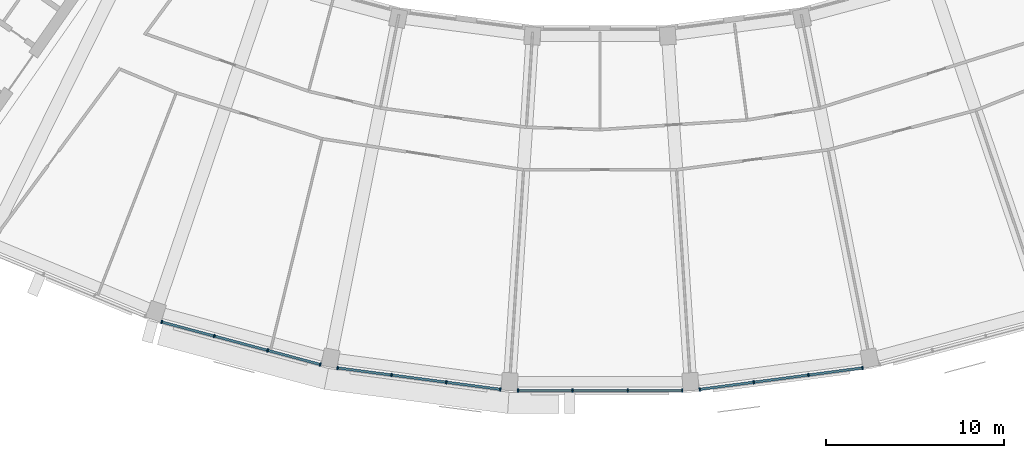
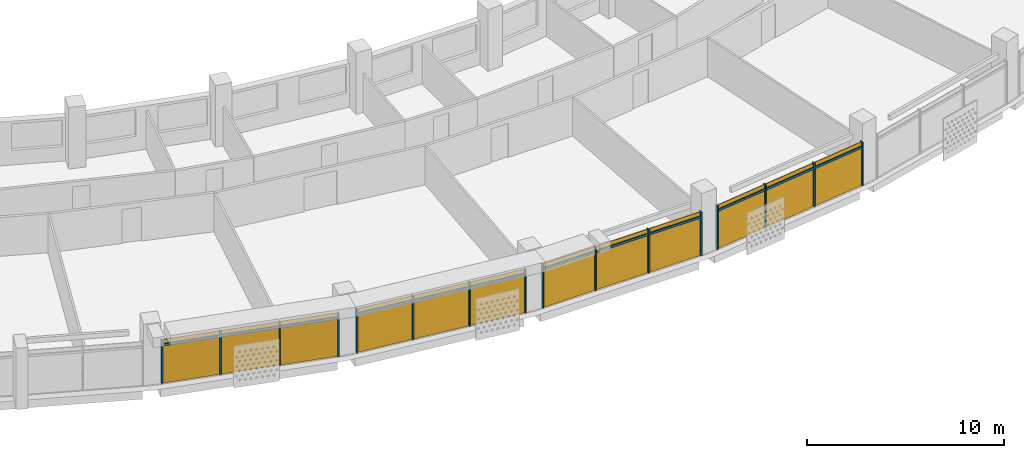
# One storey, part 20 of 28: 28 members, 4 curtain walls.
"""IFC4 building model written with IfcOpenShell, lengths in metres."""

from ifc_helpers import new_model, si_unit, direction, frame, origin, origin_2d, place, context, subcontext, project, spatial, rectangle, extrude, material, material_profile, profile_set, type_object, element, aggregate, save


model = new_model("IFC4")

# Units and contexts
model_context = context("Model", 3, precision=1e-05, world=origin(), true_north=direction((0.0, 1.0)))
body_context = subcontext(model_context, "Body", "Model", "MODEL_VIEW")
ifc_project = project(units=[si_unit("LENGTHUNIT", "METRE"), si_unit("AREAUNIT", "SQUARE_METRE"), si_unit("VOLUMEUNIT", "CUBIC_METRE"), si_unit("PLANEANGLEUNIT", "RADIAN"), si_unit("MASSUNIT", "GRAM", prefix="KILO")], contexts=[model_context])

# Member
ifc_material = material(Name="Aluminium 6063-T6 anodised", Category="aluminium")
ifc_material_profile_1 = material_profile(ifc_material, rectangle(XDim=0.199951171875, YDim=0.070068359375, at=origin_2d()))
ifc_profile_set_1 = profile_set([ifc_material_profile_1], Name="Aluminium 6063-T6 anodised")
member_type_1 = type_object("IfcMemberType", Name="Mullion 70 x 200 aluminium", PredefinedType="MULLION", material=ifc_profile_set_1)
site_placement = place(None, origin())
building_placement = place(site_placement, origin())
storey_placement = place(building_placement, frame((0.0, 0.0, 269.5)))
member_1_placement = place(storey_placement, frame((-24.676025390625, -74.224853515625, 0.0), z_axis=(0.0, 0.0, 1.0), x_axis=(0.258819045103, 0.965925826289, 0.0)))
member_1 = element("IfcMember", 1, at=member_1_placement, type_object=member_type_1, Name="e-cw1-L65-out05/M00", PredefinedType="MULLION", context=body_context, shape_type="SweptSolid", body=[
    extrude(rectangle(XDim=0.199951171875, YDim=0.070068359375, at=origin_2d()), origin(), (0.0, 0.0, 1.0), 2.699951171875),
])

member_2_placement = place(storey_placement, frame((-21.70947265625, -75.019775390625, 0.0), z_axis=(0.0, 0.0, 1.0), x_axis=(0.258819045103, 0.965925826289, 0.0)))
member_2 = element("IfcMember", 2, at=member_2_placement, type_object=member_type_1, Name="e-cw1-L65-out05/M01", PredefinedType="MULLION", context=body_context, shape_type="SweptSolid", body=[
    extrude(rectangle(XDim=0.199951171875, YDim=0.070068359375, at=origin_2d()), origin(), (0.0, 0.0, 1.0), 2.699951171875),
])

member_3_placement = place(storey_placement, frame((-18.708984375, -75.82373046875, 0.0), z_axis=(0.0, 0.0, 1.0), x_axis=(0.258819045103, 0.965925826289, 0.0)))
member_3 = element("IfcMember", 3, at=member_3_placement, type_object=member_type_1, Name="e-cw1-L65-out05/M02", PredefinedType="MULLION", context=body_context, shape_type="SweptSolid", body=[
    extrude(rectangle(XDim=0.199951171875, YDim=0.070068359375, at=origin_2d()), origin(), (0.0, 0.0, 1.0), 2.699951171875),
])

member_4_placement = place(storey_placement, frame((-15.742431640625, -76.618408203125, 0.0), z_axis=(0.0, 0.0, 1.0), x_axis=(0.258819045103, 0.965925826289, 0.0)))
member_4 = element("IfcMember", 4, at=member_4_placement, type_object=member_type_1, Name="e-cw1-L65-out05/M03", PredefinedType="MULLION", context=body_context, shape_type="SweptSolid", body=[
    extrude(rectangle(XDim=0.199951171875, YDim=0.070068359375, at=origin_2d()), origin(), (0.0, 0.0, 1.0), 2.699951171875),
])

member_5_placement = place(storey_placement, frame((-14.776611328125, -76.810546875, 0.0), z_axis=(0.0, 0.0, 1.0), x_axis=(0.13052619222, 0.991444861374, 0.0)))
member_5 = element("IfcMember", 5, at=member_5_placement, type_object=member_type_1, Name="e-cw1-L65-out06/M00", PredefinedType="MULLION", context=body_context, shape_type="SweptSolid", body=[
    extrude(rectangle(XDim=0.199951171875, YDim=0.070068359375, at=origin_2d()), origin(), (0.0, 0.0, 1.0), 2.699951171875),
])

member_6_placement = place(storey_placement, frame((-11.731689453125, -77.21142578125, 0.0), z_axis=(0.0, 0.0, 1.0), x_axis=(0.13052619222, 0.991444861374, 0.0)))
member_6 = element("IfcMember", 6, at=member_6_placement, type_object=member_type_1, Name="e-cw1-L65-out06/M01", PredefinedType="MULLION", context=body_context, shape_type="SweptSolid", body=[
    extrude(rectangle(XDim=0.199951171875, YDim=0.070068359375, at=origin_2d()), origin(), (0.0, 0.0, 1.0), 2.699951171875),
])

member_7_placement = place(storey_placement, frame((-8.65185546875, -77.616943359375, 0.0), z_axis=(0.0, 0.0, 1.0), x_axis=(0.13052619222, 0.991444861374, 0.0)))
member_7 = element("IfcMember", 7, at=member_7_placement, type_object=member_type_1, Name="e-cw1-L65-out06/M02", PredefinedType="MULLION", context=body_context, shape_type="SweptSolid", body=[
    extrude(rectangle(XDim=0.199951171875, YDim=0.070068359375, at=origin_2d()), origin(), (0.0, 0.0, 1.0), 2.699951171875),
])

member_8_placement = place(storey_placement, frame((-5.60693359375, -78.017822265625, 0.0), z_axis=(0.0, 0.0, 1.0), x_axis=(0.13052619222, 0.991444861374, 0.0)))
member_8 = element("IfcMember", 8, at=member_8_placement, type_object=member_type_1, Name="e-cw1-L65-out06/M03", PredefinedType="MULLION", context=body_context, shape_type="SweptSolid", body=[
    extrude(rectangle(XDim=0.199951171875, YDim=0.070068359375, at=origin_2d()), origin(), (0.0, 0.0, 1.0), 2.699951171875),
])

member_9_placement = place(storey_placement, frame((-4.624267578125, -78.082275390625, 0.0), z_axis=(0.0, 0.0, 1.0), x_axis=(0.0, 1.0, 0.0)))
member_9 = element("IfcMember", 9, at=member_9_placement, type_object=member_type_1, Name="e-cw1-L65-out07/M00", PredefinedType="MULLION", context=body_context, shape_type="SweptSolid", body=[
    extrude(rectangle(XDim=0.199951171875, YDim=0.070068359375, at=origin_2d()), origin(), (0.0, 0.0, 1.0), 2.699951171875),
])

member_10_placement = place(storey_placement, frame((-1.55322265625, -78.082275390625, 0.0), z_axis=(0.0, 0.0, 1.0), x_axis=(0.0, 1.0, 0.0)))
member_10 = element("IfcMember", 10, at=member_10_placement, type_object=member_type_1, Name="e-cw1-L65-out07/M01", PredefinedType="MULLION", context=body_context, shape_type="SweptSolid", body=[
    extrude(rectangle(XDim=0.199951171875, YDim=0.070068359375, at=origin_2d()), origin(), (0.0, 0.0, 1.0), 2.699951171875),
])

member_11_placement = place(storey_placement, frame((1.55322265625, -78.082275390625, 0.0), z_axis=(0.0, 0.0, 1.0), x_axis=(0.0, 1.0, 0.0)))
member_11 = element("IfcMember", 11, at=member_11_placement, type_object=member_type_1, Name="e-cw1-L65-out07/M02", PredefinedType="MULLION", context=body_context, shape_type="SweptSolid", body=[
    extrude(rectangle(XDim=0.199951171875, YDim=0.070068359375, at=origin_2d()), origin(), (0.0, 0.0, 1.0), 2.699951171875),
])

member_12_placement = place(storey_placement, frame((4.624267578125, -78.082275390625, 0.0), z_axis=(0.0, 0.0, 1.0), x_axis=(0.0, 1.0, 0.0)))
member_12 = element("IfcMember", 12, at=member_12_placement, type_object=member_type_1, Name="e-cw1-L65-out07/M03", PredefinedType="MULLION", context=body_context, shape_type="SweptSolid", body=[
    extrude(rectangle(XDim=0.199951171875, YDim=0.070068359375, at=origin_2d()), origin(), (0.0, 0.0, 1.0), 2.699951171875),
])

member_13_placement = place(storey_placement, frame((5.60693359375, -78.017822265625, 0.0), z_axis=(0.0, 0.0, 1.0), x_axis=(-0.13052619222, 0.991444861374, 0.0)))
member_13 = element("IfcMember", 13, at=member_13_placement, type_object=member_type_1, Name="e-cw1-L65-out08/M00", PredefinedType="MULLION", context=body_context, shape_type="SweptSolid", body=[
    extrude(rectangle(XDim=0.199951171875, YDim=0.070068359375, at=origin_2d()), origin(), (0.0, 0.0, 1.0), 2.699951171875),
])

member_14_placement = place(storey_placement, frame((8.65185546875, -77.616943359375, 0.0), z_axis=(0.0, 0.0, 1.0), x_axis=(-0.13052619222, 0.991444861374, 0.0)))
member_14 = element("IfcMember", 14, at=member_14_placement, type_object=member_type_1, Name="e-cw1-L65-out08/M01", PredefinedType="MULLION", context=body_context, shape_type="SweptSolid", body=[
    extrude(rectangle(XDim=0.199951171875, YDim=0.070068359375, at=origin_2d()), origin(), (0.0, 0.0, 1.0), 2.699951171875),
])

member_15_placement = place(storey_placement, frame((11.731689453125, -77.21142578125, 0.0), z_axis=(0.0, 0.0, 1.0), x_axis=(-0.13052619222, 0.991444861374, 0.0)))
member_15 = element("IfcMember", 15, at=member_15_placement, type_object=member_type_1, Name="e-cw1-L65-out08/M02", PredefinedType="MULLION", context=body_context, shape_type="SweptSolid", body=[
    extrude(rectangle(XDim=0.199951171875, YDim=0.070068359375, at=origin_2d()), origin(), (0.0, 0.0, 1.0), 2.699951171875),
])

member_16_placement = place(storey_placement, frame((14.776611328125, -76.810546875, 0.0), z_axis=(0.0, 0.0, 1.0), x_axis=(-0.13052619222, 0.991444861374, 0.0)))
member_16 = element("IfcMember", 16, at=member_16_placement, type_object=member_type_1, Name="e-cw1-L65-out08/M03", PredefinedType="MULLION", context=body_context, shape_type="SweptSolid", body=[
    extrude(rectangle(XDim=0.199951171875, YDim=0.070068359375, at=origin_2d()), origin(), (0.0, 0.0, 1.0), 2.699951171875),
])

ifc_material_profile_2 = material_profile(ifc_material, rectangle(XDim=0.139892578125, YDim=0.1201171875, at=origin_2d()))
ifc_profile_set_2 = profile_set([ifc_material_profile_2], Name="Aluminium 6063-T6 anodised")
member_type_2 = type_object("IfcMemberType", Name="Transom 120 x 140 aluminium", PredefinedType="USERDEFINED", material=ifc_profile_set_2)
member_17_placement = place(storey_placement, frame((-24.64208984375, -74.23388671875, 2.39990234375), z_axis=(0.965918275034, -0.258847225127, 0.0), x_axis=(0.258847225127, 0.965918275034, 0.0)))
member_17 = element("IfcMember", 17, at=member_17_placement, type_object=member_type_2, Name="e-cw1-L65-out05/T00", ObjectType="TRANSOM", PredefinedType="USERDEFINED", context=body_context, shape_type="SweptSolid", body=[
    extrude(rectangle(XDim=0.139892578125, YDim=0.1201171875, at=origin_2d()), origin(), (0.0, 0.0, 1.0), 3.001220703125),
])

member_18_placement = place(storey_placement, frame((-21.675537109375, -75.02880859375, 2.39990234375), z_axis=(0.965943386189, -0.258753501769, 0.0), x_axis=(0.258753501769, 0.965943386189, 0.0)))
member_18 = element("IfcMember", 18, at=member_18_placement, type_object=member_type_2, Name="e-cw1-L65-out05/T01", ObjectType="TRANSOM", PredefinedType="USERDEFINED", context=body_context, shape_type="SweptSolid", body=[
    extrude(rectangle(XDim=0.139892578125, YDim=0.1201171875, at=origin_2d()), origin(), (0.0, 0.0, 1.0), 3.036376953125),
])

member_19_placement = place(storey_placement, frame((-18.67529296875, -75.832763671875, 2.39990234375), z_axis=(0.965944058071, -0.258750993577, 0.0), x_axis=(0.258750993577, 0.965944058071, 0.0)))
member_19 = element("IfcMember", 19, at=member_19_placement, type_object=member_type_2, Name="e-cw1-L65-out05/T02", ObjectType="TRANSOM", PredefinedType="USERDEFINED", context=body_context, shape_type="SweptSolid", body=[
    extrude(rectangle(XDim=0.139892578125, YDim=0.1201171875, at=origin_2d()), origin(), (0.0, 0.0, 1.0), 3.00146484375),
])

member_20_placement = place(storey_placement, frame((-14.741943359375, -76.815185546875, 2.39990234375), z_axis=(0.991440446253, -0.13055972401, 0.0), x_axis=(0.13055972401, 0.991440446253, 0.0)))
member_20 = element("IfcMember", 20, at=member_20_placement, type_object=member_type_2, Name="e-cw1-L65-out06/T00", ObjectType="TRANSOM", PredefinedType="USERDEFINED", context=body_context, shape_type="SweptSolid", body=[
    extrude(rectangle(XDim=0.139892578125, YDim=0.1201171875, at=origin_2d()), origin(), (0.0, 0.0, 1.0), 3.001220703125),
])

member_21_placement = place(storey_placement, frame((-11.697021484375, -77.216064453125, 2.39990234375), z_axis=(0.991447725786, -0.130504433005, 0.0), x_axis=(0.130504433005, 0.991447725786, 0.0)))
member_21 = element("IfcMember", 21, at=member_21_placement, type_object=member_type_2, Name="e-cw1-L65-out06/T01", ObjectType="TRANSOM", PredefinedType="USERDEFINED", context=body_context, shape_type="SweptSolid", body=[
    extrude(rectangle(XDim=0.139892578125, YDim=0.1201171875, at=origin_2d()), origin(), (0.0, 0.0, 1.0), 3.0361328125),
])

member_22_placement = place(storey_placement, frame((-8.6171875, -77.62158203125, 2.39990234375), z_axis=(0.991450972696, -0.130479763719, 0.0), x_axis=(0.130479763719, 0.991450972696, 0.0)))
member_22 = element("IfcMember", 22, at=member_22_placement, type_object=member_type_2, Name="e-cw1-L65-out06/T02", ObjectType="TRANSOM", PredefinedType="USERDEFINED", context=body_context, shape_type="SweptSolid", body=[
    extrude(rectangle(XDim=0.139892578125, YDim=0.1201171875, at=origin_2d()), origin(), (0.0, 0.0, 1.0), 3.001220703125),
])

member_23_placement = place(storey_placement, frame((-4.58935546875, -78.082275390625, 2.39990234375), z_axis=(1.0, 0.0, 0.0), x_axis=(0.0, 1.0, 0.0)))
member_23 = element("IfcMember", 23, at=member_23_placement, type_object=member_type_2, Name="e-cw1-L65-out07/T00", ObjectType="TRANSOM", PredefinedType="USERDEFINED", context=body_context, shape_type="SweptSolid", body=[
    extrude(rectangle(XDim=0.139892578125, YDim=0.1201171875, at=origin_2d()), origin(), (0.0, 0.0, 1.0), 3.001220703125),
])

member_24_placement = place(storey_placement, frame((-1.51806640625, -78.082275390625, 2.39990234375), z_axis=(1.0, 0.0, 0.0), x_axis=(0.0, 1.0, 0.0)))
member_24 = element("IfcMember", 24, at=member_24_placement, type_object=member_type_2, Name="e-cw1-L65-out07/T01", ObjectType="TRANSOM", PredefinedType="USERDEFINED", context=body_context, shape_type="SweptSolid", body=[
    extrude(rectangle(XDim=0.139892578125, YDim=0.1201171875, at=origin_2d()), origin(), (0.0, 0.0, 1.0), 3.0361328125),
])

member_25_placement = place(storey_placement, frame((1.588134765625, -78.082275390625, 2.39990234375), z_axis=(1.0, 0.0, 0.0), x_axis=(0.0, 1.0, 0.0)))
member_25 = element("IfcMember", 25, at=member_25_placement, type_object=member_type_2, Name="e-cw1-L65-out07/T02", ObjectType="TRANSOM", PredefinedType="USERDEFINED", context=body_context, shape_type="SweptSolid", body=[
    extrude(rectangle(XDim=0.139892578125, YDim=0.1201171875, at=origin_2d()), origin(), (0.0, 0.0, 1.0), 3.001220703125),
])

member_26_placement = place(storey_placement, frame((5.6416015625, -78.01318359375, 2.39990234375), z_axis=(0.991450972696, 0.130479763719, 0.0), x_axis=(-0.130479763719, 0.991450972696, 0.0)))
member_26 = element("IfcMember", 26, at=member_26_placement, type_object=member_type_2, Name="e-cw1-L65-out08/T00", ObjectType="TRANSOM", PredefinedType="USERDEFINED", context=body_context, shape_type="SweptSolid", body=[
    extrude(rectangle(XDim=0.139892578125, YDim=0.1201171875, at=origin_2d()), origin(), (0.0, 0.0, 1.0), 3.001220703125),
])

member_27_placement = place(storey_placement, frame((8.686767578125, -77.6123046875, 2.39990234375), z_axis=(0.991447725786, 0.130504433005, 0.0), x_axis=(-0.130504433005, 0.991447725786, 0.0)))
member_27 = element("IfcMember", 27, at=member_27_placement, type_object=member_type_2, Name="e-cw1-L65-out08/T01", ObjectType="TRANSOM", PredefinedType="USERDEFINED", context=body_context, shape_type="SweptSolid", body=[
    extrude(rectangle(XDim=0.139892578125, YDim=0.1201171875, at=origin_2d()), origin(), (0.0, 0.0, 1.0), 3.0361328125),
])

member_28_placement = place(storey_placement, frame((11.766357421875, -77.20703125, 2.39990234375), z_axis=(0.991440446253, 0.13055972401, 0.0), x_axis=(-0.13055972401, 0.991440446253, 0.0)))
member_28 = element("IfcMember", 28, at=member_28_placement, type_object=member_type_2, Name="e-cw1-L65-out08/T02", ObjectType="TRANSOM", PredefinedType="USERDEFINED", context=body_context, shape_type="SweptSolid", body=[
    extrude(rectangle(XDim=0.139892578125, YDim=0.1201171875, at=origin_2d()), origin(), (0.0, 0.0, 1.0), 3.001220703125),
])

# Site, building, storey
site = spatial("IfcSite", under=ifc_project, at=site_placement, CompositionType="ELEMENT")
building = spatial("IfcBuilding", under=site, at=building_placement, Name="Qamariyya Broadcast Tower", CompositionType="ELEMENT")
storey = spatial("IfcBuildingStorey", under=building, at=storey_placement, Name="L65", CompositionType="ELEMENT", Elevation=269.5)

# Curtain wall
curtain_wall_type = type_object("IfcCurtainWallType", Name="Unitised curtain wall, anodised aluminium", PredefinedType="NOTDEFINED", material=ifc_material)
curtain_wall_1_placement = place(storey_placement, origin())
curtain_wall_1 = element("IfcCurtainWall", 29, at=curtain_wall_1_placement, inside=storey, type_object=curtain_wall_type, Name="e-cw1-L65-out05", PredefinedType="NOTDEFINED", context=body_context, shape_type="SweptSolid", body=[
    extrude(rectangle(XDim=3.001220703125, YDim=0.031982421875, at=origin_2d()), frame((-23.192626953125, -74.622314453125, 0.0), x_axis=(0.965925949265, -0.258818586151, 0.0)), (0.0, 0.0, 1.0), 2.340087890625),
    extrude(rectangle(XDim=3.001220703125, YDim=0.031982421875, at=origin_2d()), frame((-23.192626953125, -74.622314453125, 2.4599609375), x_axis=(0.965925949265, -0.258818586151, 0.0)), (0.0, 0.0, 1.0), 0.239990234375),
    extrude(rectangle(XDim=3.0361328125, YDim=0.031982421875, at=origin_2d()), frame((-20.208984375, -75.421875, 0.0), x_axis=(0.965925949265, -0.258818586151, 0.0)), (0.0, 0.0, 1.0), 2.340087890625),
    extrude(rectangle(XDim=3.0361328125, YDim=0.031982421875, at=origin_2d()), frame((-20.208984375, -75.421875, 2.4599609375), x_axis=(0.965925949265, -0.258818586151, 0.0)), (0.0, 0.0, 1.0), 0.239990234375),
    extrude(rectangle(XDim=3.001220703125, YDim=0.031982421875, at=origin_2d()), frame((-17.2255859375, -76.22119140625, 0.0), x_axis=(0.965925949265, -0.258818586151, 0.0)), (0.0, 0.0, 1.0), 2.340087890625),
    extrude(rectangle(XDim=3.001220703125, YDim=0.031982421875, at=origin_2d()), frame((-17.2255859375, -76.22119140625, 2.4599609375), x_axis=(0.965925949265, -0.258818586151, 0.0)), (0.0, 0.0, 1.0), 0.239990234375),
])

aggregate(curtain_wall_1, [member_1, member_2, member_3, member_4, member_17, member_18, member_19])

curtain_wall_2_placement = place(storey_placement, origin())
curtain_wall_2 = element("IfcCurtainWall", 30, at=curtain_wall_2_placement, inside=storey, type_object=curtain_wall_type, Name="e-cw1-L65-out06", PredefinedType="NOTDEFINED", context=body_context, shape_type="SweptSolid", body=[
    extrude(rectangle(XDim=3.001220703125, YDim=0.031982421875, at=origin_2d()), frame((-13.254150390625, -77.01123046875, 0.0), x_axis=(0.991445286748, -0.130522961144, 0.0)), (0.0, 0.0, 1.0), 2.340087890625),
    extrude(rectangle(XDim=3.001220703125, YDim=0.031982421875, at=origin_2d()), frame((-13.254150390625, -77.01123046875, 2.4599609375), x_axis=(0.991445286748, -0.130522961144, 0.0)), (0.0, 0.0, 1.0), 0.239990234375),
    extrude(rectangle(XDim=3.0361328125, YDim=0.031982421875, at=origin_2d()), frame((-10.19189453125, -77.414306640625, 0.0), x_axis=(0.991445286748, -0.130522961144, 0.0)), (0.0, 0.0, 1.0), 2.340087890625),
    extrude(rectangle(XDim=3.0361328125, YDim=0.031982421875, at=origin_2d()), frame((-10.19189453125, -77.414306640625, 2.4599609375), x_axis=(0.991445286748, -0.130522961144, 0.0)), (0.0, 0.0, 1.0), 0.239990234375),
    extrude(rectangle(XDim=3.001220703125, YDim=0.031982421875, at=origin_2d()), frame((-7.12939453125, -77.8173828125, 0.0), x_axis=(0.991445286748, -0.130522961144, 0.0)), (0.0, 0.0, 1.0), 2.340087890625),
    extrude(rectangle(XDim=3.001220703125, YDim=0.031982421875, at=origin_2d()), frame((-7.12939453125, -77.8173828125, 2.4599609375), x_axis=(0.991445286748, -0.130522961144, 0.0)), (0.0, 0.0, 1.0), 0.239990234375),
])

aggregate(curtain_wall_2, [member_5, member_6, member_7, member_8, member_20, member_21, member_22])

curtain_wall_3_placement = place(storey_placement, origin())
curtain_wall_3 = element("IfcCurtainWall", 31, at=curtain_wall_3_placement, inside=storey, type_object=curtain_wall_type, Name="e-cw1-L65-out07", PredefinedType="NOTDEFINED", context=body_context, shape_type="SweptSolid", body=[
    extrude(rectangle(XDim=3.001220703125, YDim=0.031982421875, at=origin_2d()), frame((-3.0888671875, -78.082275390625, 0.0), x_axis=(1.0, 0.0, 0.0)), (0.0, 0.0, 1.0), 2.340087890625),
    extrude(rectangle(XDim=3.001220703125, YDim=0.031982421875, at=origin_2d()), frame((-3.0888671875, -78.082275390625, 2.4599609375), x_axis=(1.0, 0.0, 0.0)), (0.0, 0.0, 1.0), 0.239990234375),
    extrude(rectangle(XDim=3.036376953125, YDim=0.031982421875, at=origin_2d()), frame((0.0, -78.082275390625, 0.0), x_axis=(1.0, 0.0, 0.0)), (0.0, 0.0, 1.0), 2.340087890625),
    extrude(rectangle(XDim=3.036376953125, YDim=0.031982421875, at=origin_2d()), frame((0.0, -78.082275390625, 2.4599609375), x_axis=(1.0, 0.0, 0.0)), (0.0, 0.0, 1.0), 0.239990234375),
    extrude(rectangle(XDim=3.001220703125, YDim=0.031982421875, at=origin_2d()), frame((3.0888671875, -78.082275390625, 0.0), x_axis=(1.0, 0.0, 0.0)), (0.0, 0.0, 1.0), 2.340087890625),
    extrude(rectangle(XDim=3.001220703125, YDim=0.031982421875, at=origin_2d()), frame((3.0888671875, -78.082275390625, 2.4599609375), x_axis=(1.0, 0.0, 0.0)), (0.0, 0.0, 1.0), 0.239990234375),
])

aggregate(curtain_wall_3, [member_9, member_10, member_11, member_12, member_23, member_24, member_25])

curtain_wall_4_placement = place(storey_placement, origin())
curtain_wall_4 = element("IfcCurtainWall", 32, at=curtain_wall_4_placement, inside=storey, type_object=curtain_wall_type, Name="e-cw1-L65-out08", PredefinedType="NOTDEFINED", context=body_context, shape_type="SweptSolid", body=[
    extrude(rectangle(XDim=3.001220703125, YDim=0.031982421875, at=origin_2d()), frame((7.12939453125, -77.8173828125, 0.0), x_axis=(0.991445286748, 0.130522961144, 0.0)), (0.0, 0.0, 1.0), 2.340087890625),
    extrude(rectangle(XDim=3.001220703125, YDim=0.031982421875, at=origin_2d()), frame((7.12939453125, -77.8173828125, 2.4599609375), x_axis=(0.991445286748, 0.130522961144, 0.0)), (0.0, 0.0, 1.0), 0.239990234375),
    extrude(rectangle(XDim=3.0361328125, YDim=0.031982421875, at=origin_2d()), frame((10.19189453125, -77.414306640625, 0.0), x_axis=(0.991445286748, 0.130522961144, 0.0)), (0.0, 0.0, 1.0), 2.340087890625),
    extrude(rectangle(XDim=3.0361328125, YDim=0.031982421875, at=origin_2d()), frame((10.19189453125, -77.414306640625, 2.4599609375), x_axis=(0.991445286748, 0.130522961144, 0.0)), (0.0, 0.0, 1.0), 0.239990234375),
    extrude(rectangle(XDim=3.001220703125, YDim=0.031982421875, at=origin_2d()), frame((13.254150390625, -77.01123046875, 0.0), x_axis=(0.991445286748, 0.130522961144, 0.0)), (0.0, 0.0, 1.0), 2.340087890625),
    extrude(rectangle(XDim=3.001220703125, YDim=0.031982421875, at=origin_2d()), frame((13.254150390625, -77.01123046875, 2.4599609375), x_axis=(0.991445286748, 0.130522961144, 0.0)), (0.0, 0.0, 1.0), 0.239990234375),
])

aggregate(curtain_wall_4, [member_13, member_14, member_15, member_16, member_26, member_27, member_28])

save(model, "model.ifc")
